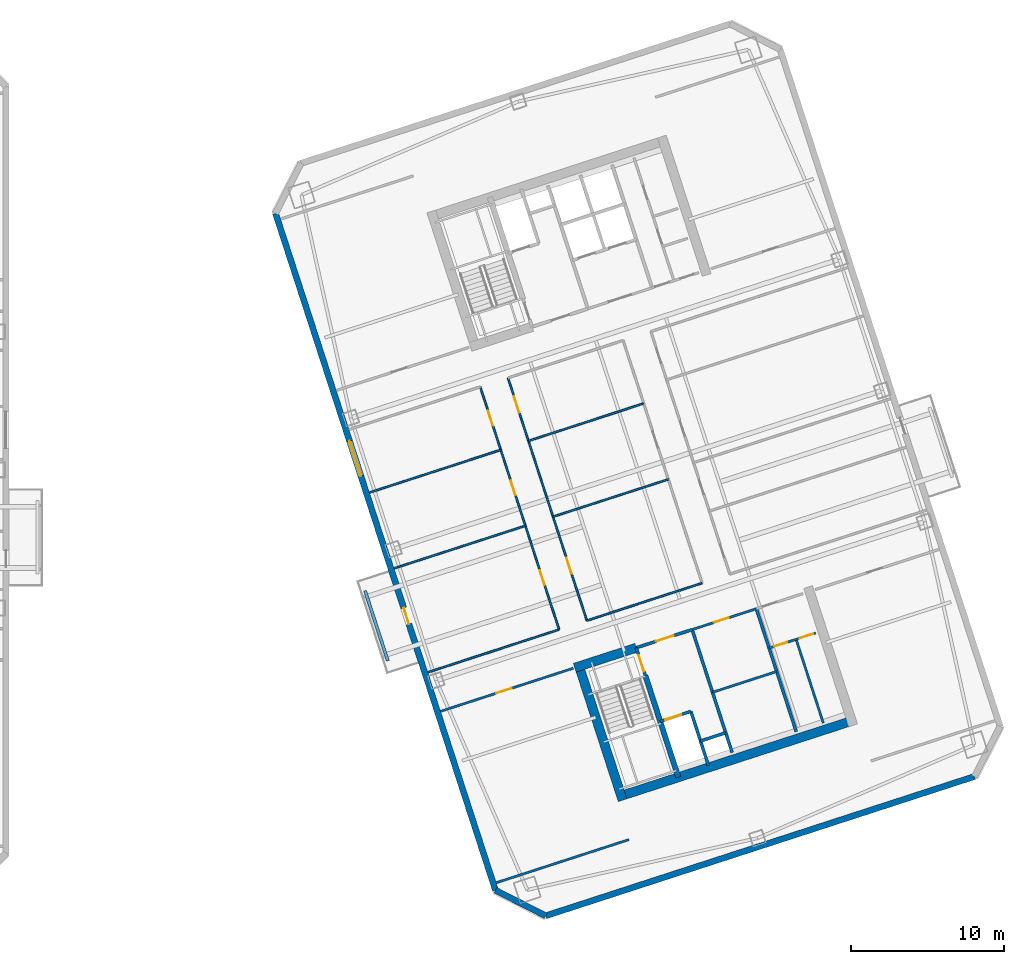
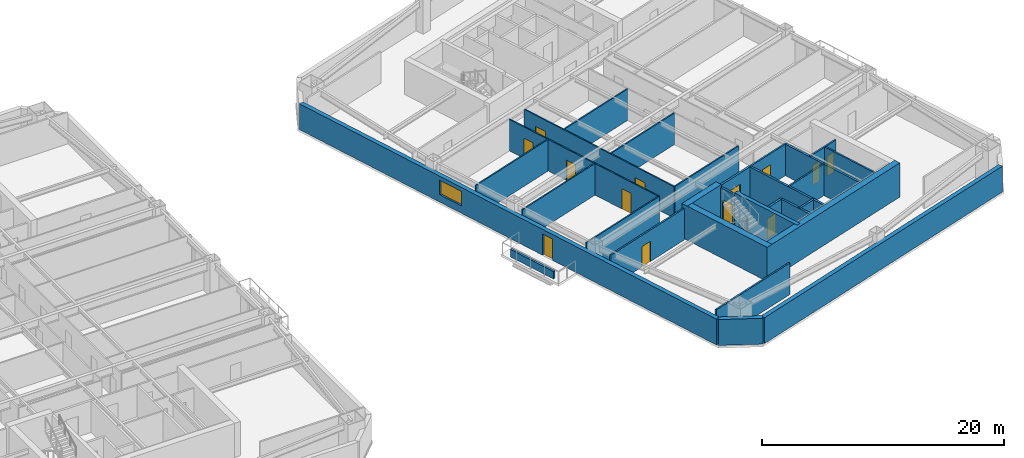
# One storey, part 7 of 14: 29 walls, 13 doors, 1 window, 14 openings.
"""IFC4 building model written with IfcOpenShell, lengths in metres."""

from ifc_helpers import new_model, si_unit, direction, frame, frame_2d, origin, place, context, subcontext, project, spatial, rectangle, extrude, material, layer, layer_set, type_object, element, fill, save


model = new_model("IFC4")

# Units and contexts
model_context = context("Model", 3, precision=1e-05, world=origin(), true_north=direction((0.0, 1.0)))
body_context = subcontext(model_context, "Body", "Model", "MODEL_VIEW")
ifc_project = project(units=[si_unit("LENGTHUNIT", "METRE"), si_unit("AREAUNIT", "SQUARE_METRE"), si_unit("VOLUMEUNIT", "CUBIC_METRE"), si_unit("PLANEANGLEUNIT", "RADIAN"), si_unit("MASSUNIT", "GRAM", prefix="KILO")], contexts=[model_context])

# Site, building, storey
site_placement = place(None, origin())
site = spatial("IfcSite", under=ifc_project, at=site_placement, CompositionType="ELEMENT")
building_placement = place(site_placement, origin())
building = spatial("IfcBuilding", under=site, at=building_placement, Name="Qiaolan Cultural Towers", CompositionType="ELEMENT")
storey_placement = place(building_placement, frame((0.0, 0.0, 124.199951171875)))
storey = spatial("IfcBuildingStorey", under=building, at=storey_placement, Name="L32", CompositionType="ELEMENT", Elevation=124.199951171875)

# Walls
ifc_material_1 = material(Name="Concrete C50", Category="concrete")
ifc_layer_1 = layer(ifc_material_1, 0.35009765625)
ifc_layer_set_1 = layer_set([ifc_layer_1], Name="Concrete C50")
wall_type_1 = type_object("IfcWallType", Name="WL-CORE-350", PredefinedType="SHEAR", material=ifc_layer_set_1)
wall_1_placement = place(storey_placement, frame((90.486328125, 20.59423828125, 0.0), z_axis=(0.0, 0.0, 1.0), x_axis=(0.309020428229, -0.951055400562, 0.0)))
element("IfcWall", 1, at=wall_1_placement, inside=storey, type_object=wall_type_1, Name="L32 T2-CS Stair Core Dividing Web", PredefinedType="SHEAR", context=body_context, shape_type="SweptSolid", body=[
    extrude(rectangle(XDim=6.97998046875, YDim=0.35009765625, at=frame_2d((3.489990234375, 0.0))), origin(), (0.0, 0.0, 1.0), 3.449951171875),
])
ifc_material_2 = material(Name="Concrete C55", Category="concrete")
ifc_layer_2 = layer(ifc_material_2, 0.60009765625)
ifc_layer_set_2 = layer_set([ifc_layer_2], Name="Concrete C55")
wall_type_2 = type_object("IfcWallType", Name="WL-CORE-600", PredefinedType="SHEAR", material=ifc_layer_set_2)
wall_2_placement = place(storey_placement, frame((88.6298828125, 12.65185546875, 0.0), z_axis=(0.0, 0.0, 1.0), x_axis=(0.95105714907, 0.309015046886, 0.0)))
element("IfcWall", 2, at=wall_2_placement, inside=storey, type_object=wall_type_2, Name="L32 T2-CS Outer Core Shear Wall", PredefinedType="SHEAR", context=body_context, shape_type="SweptSolid", body=[
    extrude(rectangle(XDim=16.400146484375, YDim=0.60009765625, at=frame_2d((8.2001953125, 0.0))), origin(), (0.0, 0.0, 1.0), 3.449951171875),
])
wall_3_placement = place(storey_placement, frame((86.078369140625, 21.47509765625, 0.0), z_axis=(0.0, 0.0, 1.0), x_axis=(0.309017938678, -0.951056209472, 0.0)))
element("IfcWall", 3, at=wall_3_placement, inside=storey, type_object=wall_type_2, Name="L32 T2-CS West Core Shear Wall", PredefinedType="SHEAR", context=body_context, shape_type="SweptSolid", body=[
    extrude(rectangle(XDim=9.479736328125, YDim=0.60009765625, at=frame_2d((4.73974609375, 0.0))), origin(), (0.0, 0.0, 1.0), 3.449951171875),
])
wall_4_placement = place(storey_placement, frame((85.8857421875, 21.09716796875, 0.0), z_axis=(0.0, 0.0, 1.0), x_axis=(0.951068073652, 0.308981422225, 0.0)))
element("IfcWall", 4, at=wall_4_placement, inside=storey, type_object=wall_type_2, Name="L32 T2-CS Stair Front Shear Wall", PredefinedType="SHEAR", context=body_context, shape_type="SweptSolid", body=[
    extrude(rectangle(XDim=4.22021484375, YDim=0.60009765625, at=frame_2d((2.110107421875, 0.0))), origin(), (0.0, 0.0, 1.0), 3.449951171875),
])

# Wall, openings, door, window
ifc_material_3 = material(Name="Precast Concrete C50 Honed Stone Pier", Category="masonry")
ifc_layer_3 = layer(ifc_material_3, 0.39990234375)
ifc_layer_set_3 = layer_set([ifc_layer_3], Name="Precast Concrete C50 Honed Stone Pier")
wall_type_3 = type_object("IfcWallType", Name="WL-EXT-PIER-400", PredefinedType="SOLIDWALL", material=ifc_layer_set_3)
wall_5_placement = place(storey_placement, frame((80.7158203125, 6.589599609375, 0.0), z_axis=(0.0, 0.0, 1.0), x_axis=(-0.309017542002, 0.95105633836, 0.0)))
wall_5 = element("IfcWall", 5, at=wall_5_placement, inside=storey, type_object=wall_type_3, Name="L32 East Tower Precast Pier Facade Wall F1", PredefinedType="SOLIDWALL", context=body_context, shape_type="SweptSolid", body=[
    extrude(rectangle(XDim=46.39990234375, YDim=0.39990234375, at=frame_2d((23.199951171875, 0.0))), origin(), (0.0, 0.0, 1.0), 2.610107421875),
])
opening_1_placement = place(wall_5_placement, frame((28.39990234375, 0.0, 0.75)))
opening_1 = element("IfcOpeningElement", 6, at=opening_1_placement, cuts=wall_5, Name="Opening W-02", PredefinedType="OPENING", context=body_context, shape_type="SweptSolid", body=[
    extrude(rectangle(XDim=2.39990234375, YDim=1.4599609375, at=frame_2d((1.199951171875, 0.72998046875))), frame((0.0, 0.2099609375, 0.0), z_axis=(0.0, -1.0, 0.0), x_axis=(1.0, 0.0, 0.0)), (0.0, 0.0, 1.0), 0.419921875),
])
opening_2_placement = place(wall_5_placement, frame((18.25, 0.0, 0.0)))
opening_2 = element("IfcOpeningElement", 7, at=opening_2_placement, cuts=wall_5, Name="Opening BD-01", PredefinedType="OPENING", context=body_context, shape_type="SweptSolid", body=[
    extrude(rectangle(XDim=1.10009765625, YDim=2.14990234375, at=frame_2d((0.550048828125, 1.074951171875))), frame((0.0, 0.2099609375, 0.0), z_axis=(0.0, -1.0, 0.0), x_axis=(1.0, 0.0, 0.0)), (0.0, 0.0, 1.0), 0.419921875),
])
ifc_material_4 = material(Name="Thermally Broken Aluminium Glazed Terrace Door", Category="aluminium")
door_type_1 = type_object("IfcDoorType", Name="DR-BAL-1100", OperationType="NOTDEFINED", PredefinedType="DOOR", material=ifc_material_4)
door_1_placement = place(opening_2_placement, origin())
door_1 = element("IfcDoor", 8, at=door_1_placement, inside=storey, type_object=door_type_1, Name="L32 T2 West Tree Balcony Door", OperationType="SINGLE_SWING_LEFT", OverallHeight=2.14990234375, OverallWidth=1.10009765625, PredefinedType="DOOR", context=body_context, shape_type="SweptSolid", body=[
    extrude(rectangle(XDim=1.10009765625, YDim=2.14990234375, at=frame_2d((0.550048828125, 1.074951171875))), frame((0.0, 0.02490234375, 0.0), z_axis=(0.0, -1.0, 0.0), x_axis=(1.0, 0.0, 0.0)), (0.0, 0.0, 1.0), 0.050048828125),
])
fill(opening_2, door_1)
ifc_material_5 = material(Name="Thermally Broken Aluminium Triple Low-E Glazing", Category="aluminium")
window_type = type_object("IfcWindowType", Name="WN-CHIC-2400", PartitioningType="SINGLE_PANEL", PredefinedType="WINDOW", material=ifc_material_5)
window_placement = place(opening_1_placement, origin())
window = element("IfcWindow", 9, at=window_placement, inside=storey, type_object=window_type, Name="L32 T2 W Chicago Bay Window 1", OverallHeight=1.4599609375, OverallWidth=2.39990234375, PartitioningType="TRIPLE_PANEL_VERTICAL", PredefinedType="WINDOW", context=body_context, shape_type="SweptSolid", body=[
    extrude(rectangle(XDim=2.39990234375, YDim=1.4599609375, at=frame_2d((1.199951171875, 0.72998046875))), frame((0.0, 0.030029296875, 0.0), z_axis=(0.0, -1.0, 0.0), x_axis=(1.0, 0.0, 0.0)), (0.0, 0.0, 1.0), 0.06005859375),
])
fill(opening_1, window)

# Walls
wall_6_placement = place(storey_placement, frame((111.953125, 14.00537109375, 0.0), z_axis=(0.0, 0.0, 1.0), x_axis=(-0.95105505922, -0.309021478754, 0.0)))
element("IfcWall", 10, at=wall_6_placement, inside=storey, type_object=wall_type_3, Name="L32 East Tower Precast Pier Facade Wall F7", PredefinedType="SOLIDWALL", context=body_context, shape_type="SweptSolid", body=[
    extrude(rectangle(XDim=29.39990234375, YDim=0.39990234375, at=frame_2d((14.699951171875, 0.0))), origin(), (0.0, 0.0, 1.0), 2.610107421875),
])
wall_7_placement = place(storey_placement, frame((83.9921875, 4.920166015625, 0.0), z_axis=(0.0, 0.0, 1.0), x_axis=(-0.891001999643, 0.45399937955, 0.0)))
element("IfcWall", 11, at=wall_7_placement, inside=storey, type_object=wall_type_3, Name="L32 East Tower Precast Pier Facade Wall F8", PredefinedType="SOLIDWALL", context=body_context, shape_type="SweptSolid", body=[
    extrude(rectangle(XDim=3.67724609375, YDim=0.39990234375, at=frame_2d((1.838623046875, 0.0))), origin(), (0.0, 0.0, 1.0), 2.610107421875),
])

# Wall, opening, door
ifc_material_6 = material(Name="Concrete C35 Fire Wall", Category="concrete")
ifc_layer_4 = layer(ifc_material_6, 0.199951171875)
ifc_layer_set_4 = layer_set([ifc_layer_4], Name="Concrete C35 Fire Wall")
wall_type_4 = type_object("IfcWallType", Name="WL-FIRE-200", PredefinedType="PARTITIONING", material=ifc_layer_set_4)
wall_8_placement = place(storey_placement, frame((89.8994140625, 22.401123046875, 0.0), z_axis=(0.0, 0.0, 1.0), x_axis=(0.308932062672, -0.951084108086, 0.0)))
wall_8 = element("IfcWall", 12, at=wall_8_placement, inside=storey, type_object=wall_type_4, Name="L32 T2-CS Smokeproof Stair Entry Wall", PredefinedType="PARTITIONING", context=body_context, shape_type="SweptSolid", body=[
    extrude(rectangle(XDim=1.89990234375, YDim=0.199951171875, at=frame_2d((0.949951171875, 0.0))), origin(), (0.0, 0.0, 1.0), 3.175048828125),
])
opening_3_placement = place(wall_8_placement, frame((0.52001953125, 0.0, 0.0)))
opening_3 = element("IfcOpeningElement", 13, at=opening_3_placement, cuts=wall_8, Name="Opening FD-04", PredefinedType="OPENING", context=body_context, shape_type="SweptSolid", body=[
    extrude(rectangle(XDim=1.10009765625, YDim=2.050048828125, at=frame_2d((0.550048828125, 1.02490234375))), frame((0.0, 0.10986328125, 0.0), z_axis=(0.0, -1.0, 0.0), x_axis=(1.0, 0.0, 0.0)), (0.0, 0.0, 1.0), 0.219970703125),
])
ifc_material_7 = material(Name="Galvanized Steel Command Fire Door", Category="steel")
door_type_2 = type_object("IfcDoorType", Name="DR-FD90-1100", OperationType="NOTDEFINED", PredefinedType="DOOR", material=ifc_material_7)
door_2_placement = place(opening_3_placement, origin())
door_2 = element("IfcDoor", 14, at=door_2_placement, inside=storey, type_object=door_type_2, Name="L32 ST-E1 Smokeproof Stair Fire Door", OperationType="SINGLE_SWING_LEFT", OverallHeight=2.050048828125, OverallWidth=1.10009765625, PredefinedType="DOOR", context=body_context, shape_type="SweptSolid", body=[
    extrude(rectangle(XDim=1.10009765625, YDim=2.050048828125, at=frame_2d((0.550048828125, 1.02490234375))), frame((0.0, 0.02490234375, 0.0), z_axis=(0.0, -1.0, 0.0), x_axis=(1.0, 0.0, 0.0)), (0.0, 0.0, 1.0), 0.050048828125),
])
fill(opening_3, door_2)

# Wall
wall_9_placement = place(storey_placement, frame((93.541748046875, 23.584716796875, 0.0), z_axis=(0.0, 0.0, 1.0), x_axis=(0.309042196757, -0.951048327176, 0.0)))
element("IfcWall", 15, at=wall_9_placement, inside=storey, type_object=wall_type_4, Name="L32 T2-CS Firefighting Zone Wall", PredefinedType="PARTITIONING", context=body_context, shape_type="SweptSolid", body=[
    extrude(rectangle(XDim=8.429931640625, YDim=0.199951171875, at=frame_2d((4.21484375, 0.0))), origin(), (0.0, 0.0, 1.0), 3.175048828125),
])

# Wall, opening, door
wall_10_placement = place(storey_placement, frame((89.8994140625, 22.401123046875, 0.0), z_axis=(0.0, 0.0, 1.0), x_axis=(0.951046716504, 0.309047153403, 0.0)))
wall_10 = element("IfcWall", 16, at=wall_10_placement, inside=storey, type_object=wall_type_4, Name="L32 T2-CS Firefighting Lobby Front Wall", PredefinedType="PARTITIONING", context=body_context, shape_type="SweptSolid", body=[
    extrude(rectangle(XDim=3.829833984375, YDim=0.199951171875, at=frame_2d((1.9150390625, 0.0))), origin(), (0.0, 0.0, 1.0), 3.175048828125),
])
opening_4_placement = place(wall_10_placement, frame((1.35009765625, 0.0, 0.0)))
opening_4 = element("IfcOpeningElement", 17, at=opening_4_placement, cuts=wall_10, Name="Opening FD-03", PredefinedType="OPENING", context=body_context, shape_type="SweptSolid", body=[
    extrude(rectangle(XDim=1.199951171875, YDim=2.050048828125, at=frame_2d((0.60009765625, 1.02490234375))), frame((0.0, 0.10986328125, 0.0), z_axis=(0.0, -1.0, 0.0), x_axis=(1.0, 0.0, 0.0)), (0.0, 0.0, 1.0), 0.219970703125),
])
ifc_material_8 = material(Name="Galvanized Steel Smokeproof Lobby Fire Door", Category="steel")
door_type_3 = type_object("IfcDoorType", Name="DR-FD90-1200", OperationType="NOTDEFINED", PredefinedType="DOOR", material=ifc_material_8)
door_3_placement = place(opening_4_placement, origin())
door_3 = element("IfcDoor", 18, at=door_3_placement, inside=storey, type_object=door_type_3, Name="L32 FFL-E1 Firefighting Lobby Fire Door", OperationType="SINGLE_SWING_LEFT", OverallHeight=2.050048828125, OverallWidth=1.199951171875, PredefinedType="DOOR", context=body_context, shape_type="SweptSolid", body=[
    extrude(rectangle(XDim=1.199951171875, YDim=2.050048828125, at=frame_2d((0.60009765625, 1.02490234375))), frame((0.0, 0.02490234375, 0.0), z_axis=(0.0, -1.0, 0.0), x_axis=(1.0, 0.0, 0.0)), (0.0, 0.0, 1.0), 0.050048828125),
])
fill(opening_4, door_3)

wall_11_placement = place(storey_placement, frame((91.459716796875, 17.598388671875, 0.0), z_axis=(0.0, 0.0, 1.0), x_axis=(0.951062257173, 0.308999325213, 0.0)))
wall_11 = element("IfcWall", 19, at=wall_11_placement, inside=storey, type_object=wall_type_4, Name="L32 T2-CS Firefighting Shaft Front Wall", PredefinedType="PARTITIONING", context=body_context, shape_type="SweptSolid", body=[
    extrude(rectangle(XDim=2.10009765625, YDim=0.199951171875, at=frame_2d((1.050048828125, 0.0))), origin(), (0.0, 0.0, 1.0), 3.175048828125),
])
opening_5_placement = place(wall_11_placement, frame((0.35009765625, 0.0, 0.0)))
opening_5 = element("IfcOpeningElement", 20, at=opening_5_placement, cuts=wall_11, Name="Opening LD-01", PredefinedType="OPENING", context=body_context, shape_type="SweptSolid", body=[
    extrude(rectangle(XDim=1.10009765625, YDim=2.050048828125, at=frame_2d((0.550048828125, 1.02490234375))), frame((0.0, 0.10986328125, 0.0), z_axis=(0.0, -1.0, 0.0), x_axis=(1.0, 0.0, 0.0)), (0.0, 0.0, 1.0), 0.219970703125),
])
ifc_material_9 = material(Name="Brushed Stainless Steel S30408 Centre-Parting Lift Landing Door", Category="steel")
door_type_4 = type_object("IfcDoorType", Name="DR-LIFT-1100", OperationType="NOTDEFINED", PredefinedType="DOOR", material=ifc_material_9)
door_4_placement = place(opening_5_placement, origin())
door_4 = element("IfcDoor", 21, at=door_4_placement, inside=storey, type_object=door_type_4, Name="L32 FFL-E1 Firefighting Lift Landing Door", OperationType="DOUBLE_DOOR_SLIDING", OverallHeight=2.050048828125, OverallWidth=1.10009765625, PredefinedType="DOOR", context=body_context, shape_type="SweptSolid", body=[
    extrude(rectangle(XDim=1.10009765625, YDim=2.050048828125, at=frame_2d((0.550048828125, 1.02490234375))), frame((0.0, 0.02490234375, 0.0), z_axis=(0.0, -1.0, 0.0), x_axis=(1.0, 0.0, 0.0)), (0.0, 0.0, 1.0), 0.050048828125),
])
fill(opening_5, door_4)

# Walls
wall_12_placement = place(storey_placement, frame((93.45703125, 18.247314453125, 0.0), z_axis=(0.0, 0.0, 1.0), x_axis=(0.3089935693, -0.951064127245, 0.0)))
element("IfcWall", 22, at=wall_12_placement, inside=storey, type_object=wall_type_4, Name="L32 T2-CS Firefighting Hoistway East Wall", PredefinedType="PARTITIONING", context=body_context, shape_type="SweptSolid", body=[
    extrude(rectangle(XDim=3.7001953125, YDim=0.199951171875, at=frame_2d((1.85009765625, 0.0))), origin(), (0.0, 0.0, 1.0), 3.175048828125),
])
wall_13_placement = place(storey_placement, frame((94.08447265625, 16.316650390625, 0.0), z_axis=(0.0, 0.0, 1.0), x_axis=(0.951041328149, 0.309063734775, 0.0)))
element("IfcWall", 23, at=wall_13_placement, inside=storey, type_object=wall_type_4, Name="L32 T2-CS Pressurization Shaft Front Wall", PredefinedType="PARTITIONING", context=body_context, shape_type="SweptSolid", body=[
    extrude(rectangle(XDim=1.72998046875, YDim=0.199951171875, at=frame_2d((0.864990234375, 0.0))), origin(), (0.0, 0.0, 1.0), 3.175048828125),
])
wall_14_placement = place(storey_placement, frame((97.7265625, 24.9443359375, 0.0), z_axis=(0.0, 0.0, 1.0), x_axis=(0.309016001439, -0.951056838919, 0.0)))
element("IfcWall", 24, at=wall_14_placement, inside=storey, type_object=wall_type_4, Name="L32 T2-CS Lift Core East Wall", PredefinedType="PARTITIONING", context=body_context, shape_type="SweptSolid", body=[
    extrude(rectangle(XDim=8.429931640625, YDim=0.199951171875, at=frame_2d((4.21484375, 0.0))), origin(), (0.0, 0.0, 1.0), 3.175048828125),
])
ifc_material_10 = material(Name="Gypsum Stud Acoustic Partition", Category="gypsum")
ifc_layer_5 = layer(ifc_material_10, 0.1201171875)
ifc_layer_set_5 = layer_set([ifc_layer_5], Name="Gypsum Stud Acoustic Partition")
wall_type_5 = type_object("IfcWallType", Name="WL-PART-120", PredefinedType="PARTITIONING", material=ifc_layer_set_5)
wall_15_placement = place(storey_placement, frame((76.307861328125, 20.802978515625, 0.0), z_axis=(0.0, 0.0, 1.0), x_axis=(0.951054001411, 0.309024734286, 0.0)))
element("IfcWall", 25, at=wall_15_placement, inside=storey, type_object=wall_type_5, Name="L32 T2 Interior Wall", PredefinedType="PARTITIONING", context=body_context, shape_type="SweptSolid", body=[
    extrude(rectangle(XDim=9.0, YDim=0.1201171875, at=frame_2d((4.5, 0.0))), origin(), (0.0, 0.0, 1.0), 3.175048828125),
])
wall_16_placement = place(storey_placement, frame((86.674560546875, 24.17138671875, 0.0), z_axis=(0.0, 0.0, 1.0), x_axis=(0.951057231385, 0.309014793547, 0.0)))
element("IfcWall", 26, at=wall_16_placement, inside=storey, type_object=wall_type_5, Name="L32 T2 Interior Wall", PredefinedType="PARTITIONING", context=body_context, shape_type="SweptSolid", body=[
    extrude(rectangle(XDim=7.89990234375, YDim=0.1201171875, at=frame_2d((3.949951171875, 0.0))), origin(), (0.0, 0.0, 1.0), 3.175048828125),
])

# Wall, openings, doors
wall_17_placement = place(storey_placement, frame((84.867431640625, 23.584228515625, 0.0), z_axis=(0.0, 0.0, 1.0), x_axis=(-0.309022042254, 0.951054876125, 0.0)))
wall_17 = element("IfcWall", 27, at=wall_17_placement, inside=storey, type_object=wall_type_5, Name="L32 T2 Interior Wall", PredefinedType="PARTITIONING", context=body_context, shape_type="SweptSolid", body=[
    extrude(rectangle(XDim=16.639892578125, YDim=0.1201171875, at=frame_2d((8.31982421875, 0.0))), origin(), (0.0, 0.0, 1.0), 3.175048828125),
])
opening_6_placement = place(wall_17_placement, frame((3.06005859375, 0.0, 0.0)))
opening_6 = element("IfcOpeningElement", 28, at=opening_6_placement, cuts=wall_17, Name="Opening ID-04", PredefinedType="OPENING", context=body_context, shape_type="SweptSolid", body=[
    extrude(rectangle(XDim=1.0, YDim=2.050048828125, at=frame_2d((0.5, 1.02490234375))), frame((0.0, 0.070068359375, 0.0), z_axis=(0.0, -1.0, 0.0), x_axis=(1.0, 0.0, 0.0)), (0.0, 0.0, 1.0), 0.14013671875),
])
opening_7_placement = place(wall_17_placement, frame((9.219970703125, 0.0, 0.0)))
opening_7 = element("IfcOpeningElement", 29, at=opening_7_placement, cuts=wall_17, Name="Opening ID-04", PredefinedType="OPENING", context=body_context, shape_type="SweptSolid", body=[
    extrude(rectangle(XDim=1.0, YDim=2.050048828125, at=frame_2d((0.5, 1.02490234375))), frame((0.0, 0.070068359375, 0.0), z_axis=(0.0, -1.0, 0.0), x_axis=(1.0, 0.0, 0.0)), (0.0, 0.0, 1.0), 0.14013671875),
])
opening_8_placement = place(wall_17_placement, frame((13.97998046875, 0.0, 0.0)))
opening_8 = element("IfcOpeningElement", 30, at=opening_8_placement, cuts=wall_17, Name="Opening ID-04", PredefinedType="OPENING", context=body_context, shape_type="SweptSolid", body=[
    extrude(rectangle(XDim=1.0, YDim=2.050048828125, at=frame_2d((0.5, 1.02490234375))), frame((0.0, 0.070068359375, 0.0), z_axis=(0.0, -1.0, 0.0), x_axis=(1.0, 0.0, 0.0)), (0.0, 0.0, 1.0), 0.14013671875),
])
ifc_material_11 = material(Name="Oak Veneer Acoustic Office Door", Category="timber")
door_type_5 = type_object("IfcDoorType", Name="DR-INT-1000", OperationType="NOTDEFINED", PredefinedType="DOOR", material=ifc_material_11)
door_5_placement = place(opening_6_placement, origin())
door_5 = element("IfcDoor", 31, at=door_5_placement, inside=storey, type_object=door_type_5, Name="L32 T2 Publication Showroom Door", OperationType="SINGLE_SWING_LEFT", OverallHeight=2.050048828125, OverallWidth=1.0, PredefinedType="DOOR", context=body_context, shape_type="SweptSolid", body=[
    extrude(rectangle(XDim=1.0, YDim=2.050048828125, at=frame_2d((0.5, 1.02490234375))), frame((0.0, 0.02490234375, 0.0), z_axis=(0.0, -1.0, 0.0), x_axis=(1.0, 0.0, 0.0)), (0.0, 0.0, 1.0), 0.050048828125),
])
fill(opening_6, door_5)
door_6_placement = place(opening_7_placement, origin())
door_6 = element("IfcDoor", 32, at=door_6_placement, inside=storey, type_object=door_type_5, Name="L32 T2 Publication Showroom Door", OperationType="SINGLE_SWING_RIGHT", OverallHeight=2.050048828125, OverallWidth=1.0, PredefinedType="DOOR", context=body_context, shape_type="SweptSolid", body=[
    extrude(rectangle(XDim=1.0, YDim=2.050048828125, at=frame_2d((0.5, 1.02490234375))), frame((0.0, 0.02490234375, 0.0), z_axis=(0.0, -1.0, 0.0), x_axis=(1.0, 0.0, 0.0)), (0.0, 0.0, 1.0), 0.050048828125),
])
fill(opening_7, door_6)
door_7_placement = place(opening_8_placement, origin())
door_7 = element("IfcDoor", 33, at=door_7_placement, inside=storey, type_object=door_type_5, Name="L32 T2 Cataloguing Kitchenette Door", OperationType="SINGLE_SWING_LEFT", OverallHeight=2.050048828125, OverallWidth=1.0, PredefinedType="DOOR", context=body_context, shape_type="SweptSolid", body=[
    extrude(rectangle(XDim=1.0, YDim=2.050048828125, at=frame_2d((0.5, 1.02490234375))), frame((0.0, 0.02490234375, 0.0), z_axis=(0.0, -1.0, 0.0), x_axis=(1.0, 0.0, 0.0)), (0.0, 0.0, 1.0), 0.050048828125),
])
fill(opening_8, door_7)

wall_18_placement = place(storey_placement, frame((86.674560546875, 24.17138671875, 0.0), z_axis=(0.0, 0.0, 1.0), x_axis=(-0.309022042254, 0.951054876125, 0.0)))
wall_18 = element("IfcWall", 34, at=wall_18_placement, inside=storey, type_object=wall_type_5, Name="L32 T2 Interior Wall", PredefinedType="PARTITIONING", context=body_context, shape_type="SweptSolid", body=[
    extrude(rectangle(XDim=16.639892578125, YDim=0.1201171875, at=frame_2d((8.31982421875, 0.0))), origin(), (0.0, 0.0, 1.0), 3.175048828125),
])
opening_9_placement = place(wall_18_placement, frame((3.2041015625, 0.0, 0.0)))
opening_9 = element("IfcOpeningElement", 35, at=opening_9_placement, cuts=wall_18, Name="Opening ID-03", PredefinedType="OPENING", context=body_context, shape_type="SweptSolid", body=[
    extrude(rectangle(XDim=1.10009765625, YDim=2.050048828125, at=frame_2d((0.550048828125, 1.02490234375))), frame((0.0, 0.070068359375, 0.0), z_axis=(0.0, -1.0, 0.0), x_axis=(1.0, 0.0, 0.0)), (0.0, 0.0, 1.0), 0.14013671875),
])
opening_10_placement = place(wall_18_placement, frame((14.263916015625, 0.0, 0.0)))
opening_10 = element("IfcOpeningElement", 36, at=opening_10_placement, cuts=wall_18, Name="Opening ID-03", PredefinedType="OPENING", context=body_context, shape_type="SweptSolid", body=[
    extrude(rectangle(XDim=1.10009765625, YDim=2.050048828125, at=frame_2d((0.550048828125, 1.02490234375))), frame((0.0, 0.070068359375, 0.0), z_axis=(0.0, -1.0, 0.0), x_axis=(1.0, 0.0, 0.0)), (0.0, 0.0, 1.0), 0.14013671875),
])
ifc_material_12 = material(Name="Oak Veneer Solid-Core Boardroom Door", Category="timber")
door_type_6 = type_object("IfcDoorType", Name="DR-INT-1100", OperationType="NOTDEFINED", PredefinedType="DOOR", material=ifc_material_12)
door_8_placement = place(opening_9_placement, origin())
door_8 = element("IfcDoor", 37, at=door_8_placement, inside=storey, type_object=door_type_6, Name="L32 T2 Central Boardroom Door", OperationType="SINGLE_SWING_LEFT", OverallHeight=2.050048828125, OverallWidth=1.10009765625, PredefinedType="DOOR", context=body_context, shape_type="SweptSolid", body=[
    extrude(rectangle(XDim=1.10009765625, YDim=2.050048828125, at=frame_2d((0.550048828125, 1.02490234375))), frame((0.0, 0.02490234375, 0.0), z_axis=(0.0, -1.0, 0.0), x_axis=(1.0, 0.0, 0.0)), (0.0, 0.0, 1.0), 0.050048828125),
])
fill(opening_9, door_8)
door_9_placement = place(opening_10_placement, origin())
door_9 = element("IfcDoor", 38, at=door_9_placement, inside=storey, type_object=door_type_6, Name="L32 T2 Central Archive Room Door", OperationType="SINGLE_SWING_RIGHT", OverallHeight=2.050048828125, OverallWidth=1.10009765625, PredefinedType="DOOR", context=body_context, shape_type="SweptSolid", body=[
    extrude(rectangle(XDim=1.10009765625, YDim=2.050048828125, at=frame_2d((0.550048828125, 1.02490234375))), frame((0.0, 0.02490234375, 0.0), z_axis=(0.0, -1.0, 0.0), x_axis=(1.0, 0.0, 0.0)), (0.0, 0.0, 1.0), 0.050048828125),
])
fill(opening_10, door_9)

# Walls
for number, where, z_axis, x_axis, name in (
    (39, (84.474365234375, 30.94287109375, 0.0), (0.0, 0.0, 1.0), (0.951057231385, 0.309014793547, 0.0), "L32 T2 Interior Wall"),
    (40, (82.867431640625, 35.888427734375, 0.0), (0.0, 0.0, 1.0), (0.951057231385, 0.309014793547, 0.0), "L32 T2 Interior Wall"),
):
    element("IfcWall", number, at=place(storey_placement, frame(where, z_axis=z_axis, x_axis=x_axis)), inside=storey, type_object=wall_type_5, Name=name, PredefinedType="PARTITIONING", context=body_context, shape_type="SweptSolid", body=[
        extrude(rectangle(XDim=7.89990234375, YDim=0.1201171875, at=frame_2d((3.949951171875, 0.0))), origin(), (0.0, 0.0, 1.0), 3.175048828125),
    ])
wall_19_placement = place(storey_placement, frame((74.107666015625, 27.574462890625, 0.0), z_axis=(0.0, 0.0, 1.0), x_axis=(0.951054001411, 0.309024734286, 0.0)))
element("IfcWall", 41, at=wall_19_placement, inside=storey, type_object=wall_type_5, Name="L32 T2 Interior Wall", PredefinedType="PARTITIONING", context=body_context, shape_type="SweptSolid", body=[
    extrude(rectangle(XDim=9.0, YDim=0.1201171875, at=frame_2d((4.5, 0.0))), origin(), (0.0, 0.0, 1.0), 3.175048828125),
])
wall_20_placement = place(storey_placement, frame((72.5009765625, 32.52001953125, 0.0), z_axis=(0.0, 0.0, 1.0), x_axis=(0.951051410833, 0.309032706929, 0.0)))
element("IfcWall", 42, at=wall_20_placement, inside=storey, type_object=wall_type_5, Name="L32 T2 Interior Wall", PredefinedType="PARTITIONING", context=body_context, shape_type="SweptSolid", body=[
    extrude(rectangle(XDim=8.999755859375, YDim=0.1201171875, at=frame_2d((4.5, 0.0))), origin(), (0.0, 0.0, 1.0), 3.175048828125),
])

# Wall, opening, door
ifc_material_13 = material(Name="Autoclaved Aerated Concrete Block B06", Category="concrete")
ifc_layer_6 = layer(ifc_material_13, 0.14990234375)
ifc_layer_set_6 = layer_set([ifc_layer_6], Name="Autoclaved Aerated Concrete Block B06")
wall_type_6 = type_object("IfcWallType", Name="WL-PART-150", PredefinedType="PARTITIONING", material=ifc_layer_set_6)
wall_21_placement = place(storey_placement, frame((93.541748046875, 23.584716796875, 0.0), z_axis=(0.0, 0.0, 1.0), x_axis=(0.951063829732, 0.308994485023, 0.0)))
wall_21 = element("IfcWall", 43, at=wall_21_placement, inside=storey, type_object=wall_type_6, Name="L32 T2-CS Reclaimed Core Room Front Wall", PredefinedType="PARTITIONING", context=body_context, shape_type="SweptSolid", body=[
    extrude(rectangle(XDim=4.400146484375, YDim=0.14990234375, at=frame_2d((2.2001953125, 0.0))), origin(), (0.0, 0.0, 1.0), 3.175048828125),
])
opening_11_placement = place(wall_21_placement, frame((1.5, 0.0, 0.0)))
opening_11 = element("IfcOpeningElement", 44, at=opening_11_placement, cuts=wall_21, Name="Opening ID-04", PredefinedType="OPENING", context=body_context, shape_type="SweptSolid", body=[
    extrude(rectangle(XDim=1.0, YDim=2.050048828125, at=frame_2d((0.5, 1.02490234375))), frame((0.0, 0.0849609375, 0.0), z_axis=(0.0, -1.0, 0.0), x_axis=(1.0, 0.0, 0.0)), (0.0, 0.0, 1.0), 0.169921875),
])
door_10_placement = place(opening_11_placement, origin())
door_10 = element("IfcDoor", 45, at=door_10_placement, inside=storey, type_object=door_type_5, Name="L32 Focus Pod Room Door", OperationType="SINGLE_SWING_LEFT", OverallHeight=2.050048828125, OverallWidth=1.0, PredefinedType="DOOR", context=body_context, shape_type="SweptSolid", body=[
    extrude(rectangle(XDim=1.0, YDim=2.050048828125, at=frame_2d((0.5, 1.02490234375))), frame((0.0, 0.02490234375, 0.0), z_axis=(0.0, -1.0, 0.0), x_axis=(1.0, 0.0, 0.0)), (0.0, 0.0, 1.0), 0.050048828125),
])
fill(opening_11, door_10)

# Wall
wall_22_placement = place(storey_placement, frame((94.87060546875, 19.4951171875, 0.0), z_axis=(0.0, 0.0, 1.0), x_axis=(0.951042223598, 0.309060979314, 0.0)))
element("IfcWall", 46, at=wall_22_placement, inside=storey, type_object=wall_type_6, Name="L32 T2-CS Reclaimed Room Subdivider", PredefinedType="PARTITIONING", context=body_context, shape_type="SweptSolid", body=[
    extrude(rectangle(XDim=4.39990234375, YDim=0.14990234375, at=frame_2d((2.199951171875, 0.0))), origin(), (0.0, 0.0, 1.0), 3.175048828125),
])

# Wall, openings, doors
wall_23_placement = place(storey_placement, frame((98.560791015625, 22.37646484375, 0.0), z_axis=(0.0, 0.0, 1.0), x_axis=(0.95104415986, 0.309055020985, 0.0)))
wall_23 = element("IfcWall", 47, at=wall_23_placement, inside=storey, type_object=wall_type_6, Name="L32 T2-CS Restroom Vestibule Wall", PredefinedType="PARTITIONING", context=body_context, shape_type="SweptSolid", body=[
    extrude(rectangle(XDim=3.2001953125, YDim=0.14990234375, at=frame_2d((1.60009765625, 0.0))), origin(), (0.0, 0.0, 1.0), 3.175048828125),
])
opening_12_placement = place(wall_23_placement, frame((0.35009765625, 0.0, 0.0)))
opening_12 = element("IfcOpeningElement", 48, at=opening_12_placement, cuts=wall_23, Name="Opening ID-06", PredefinedType="OPENING", context=body_context, shape_type="SweptSolid", body=[
    extrude(rectangle(XDim=0.89990234375, YDim=2.050048828125, at=frame_2d((0.449951171875, 1.02490234375))), frame((0.0, 0.0849609375, 0.0), z_axis=(0.0, -1.0, 0.0), x_axis=(1.0, 0.0, 0.0)), (0.0, 0.0, 1.0), 0.169921875),
])
opening_13_placement = place(wall_23_placement, frame((2.10009765625, 0.0, 0.0)))
opening_13 = element("IfcOpeningElement", 49, at=opening_13_placement, cuts=wall_23, Name="Opening ID-06", PredefinedType="OPENING", context=body_context, shape_type="SweptSolid", body=[
    extrude(rectangle(XDim=0.89990234375, YDim=2.050048828125, at=frame_2d((0.449951171875, 1.02490234375))), frame((0.0, 0.0849609375, 0.0), z_axis=(0.0, -1.0, 0.0), x_axis=(1.0, 0.0, 0.0)), (0.0, 0.0, 1.0), 0.169921875),
])
ifc_material_14 = material(Name="Fire-Rated Laminate Core Service Door", Category="timber")
door_type_7 = type_object("IfcDoorType", Name="DR-INT-900", OperationType="NOTDEFINED", PredefinedType="DOOR", material=ifc_material_14)
door_11_placement = place(opening_12_placement, origin())
door_11 = element("IfcDoor", 50, at=door_11_placement, inside=storey, type_object=door_type_7, Name="L32 Men Restroom Door", OperationType="SINGLE_SWING_LEFT", OverallHeight=2.050048828125, OverallWidth=0.89990234375, PredefinedType="DOOR", context=body_context, shape_type="SweptSolid", body=[
    extrude(rectangle(XDim=0.89990234375, YDim=2.050048828125, at=frame_2d((0.449951171875, 1.02490234375))), frame((0.0, 0.02490234375, 0.0), z_axis=(0.0, -1.0, 0.0), x_axis=(1.0, 0.0, 0.0)), (0.0, 0.0, 1.0), 0.050048828125),
])
fill(opening_12, door_11)
door_12_placement = place(opening_13_placement, origin())
door_12 = element("IfcDoor", 51, at=door_12_placement, inside=storey, type_object=door_type_7, Name="L32 Accessible & Women Restroom Door", OperationType="SINGLE_SWING_RIGHT", OverallHeight=2.050048828125, OverallWidth=0.89990234375, PredefinedType="DOOR", context=body_context, shape_type="SweptSolid", body=[
    extrude(rectangle(XDim=0.89990234375, YDim=2.050048828125, at=frame_2d((0.449951171875, 1.02490234375))), frame((0.0, 0.02490234375, 0.0), z_axis=(0.0, -1.0, 0.0), x_axis=(1.0, 0.0, 0.0)), (0.0, 0.0, 1.0), 0.050048828125),
])
fill(opening_13, door_12)

# Walls
wall_24_placement = place(storey_placement, frame((100.3203125, 22.9482421875, 0.0), z_axis=(0.0, 0.0, 1.0), x_axis=(0.309035009867, -0.951050662518, 0.0)))
element("IfcWall", 52, at=wall_24_placement, inside=storey, type_object=wall_type_6, Name="L32 T2-CS Restroom Divider Wall", PredefinedType="PARTITIONING", context=body_context, shape_type="SweptSolid", body=[
    extrude(rectangle(XDim=5.72998046875, YDim=0.14990234375, at=frame_2d((2.864990234375, 0.0))), origin(), (0.0, 0.0, 1.0), 3.175048828125),
])
wall_25_placement = place(storey_placement, frame((80.76708984375, 7.079345703125, 0.0), z_axis=(0.0, 0.0, 1.0), x_axis=(0.951057133767, 0.309015093986, 0.0)))
element("IfcWall", 53, at=wall_25_placement, inside=storey, type_object=wall_type_6, Name="L32 T2 Flank Wall FLK-SW", PredefinedType="PARTITIONING", context=body_context, shape_type="SweptSolid", body=[
    extrude(rectangle(XDim=9.099853515625, YDim=0.14990234375, at=frame_2d((4.5498046875, 0.0))), origin(), (0.0, 0.0, 1.0), 3.175048828125),
])

# Wall, opening, door
wall_26_placement = place(storey_placement, frame((77.13623046875, 18.254150390625, 0.0), z_axis=(0.0, 0.0, 1.0), x_axis=(0.951057133767, 0.309015093986, 0.0)))
wall_26 = element("IfcWall", 54, at=wall_26_placement, inside=storey, type_object=wall_type_6, Name="L32 T2 Flank Front FLK-SW", PredefinedType="PARTITIONING", context=body_context, shape_type="SweptSolid", body=[
    extrude(rectangle(XDim=9.099853515625, YDim=0.14990234375, at=frame_2d((4.5498046875, 0.0))), origin(), (0.0, 0.0, 1.0), 3.175048828125),
])
opening_14_placement = place(wall_26_placement, frame((3.822021484375, 0.0, 0.0)))
opening_14 = element("IfcOpeningElement", 55, at=opening_14_placement, cuts=wall_26, Name="Opening ID-07", PredefinedType="OPENING", context=body_context, shape_type="SweptSolid", body=[
    extrude(rectangle(XDim=1.050048828125, YDim=2.050048828125, at=frame_2d((0.52490234375, 1.02490234375))), frame((0.0, 0.0849609375, 0.0), z_axis=(0.0, -1.0, 0.0), x_axis=(1.0, 0.0, 0.0)), (0.0, 0.0, 1.0), 0.169921875),
])
ifc_material_15 = material(Name="Oak Veneer Consultation Door", Category="timber")
door_type_8 = type_object("IfcDoorType", Name="DR-INT-1050", OperationType="NOTDEFINED", PredefinedType="DOOR", material=ifc_material_15)
door_13_placement = place(opening_14_placement, origin())
door_13 = element("IfcDoor", 56, at=door_13_placement, inside=storey, type_object=door_type_8, Name="L32 T2 Corner Studio Door", OperationType="SINGLE_SWING_LEFT", OverallHeight=2.050048828125, OverallWidth=1.050048828125, PredefinedType="DOOR", context=body_context, shape_type="SweptSolid", body=[
    extrude(rectangle(XDim=1.050048828125, YDim=2.050048828125, at=frame_2d((0.52490234375, 1.02490234375))), frame((0.0, 0.02490234375, 0.0), z_axis=(0.0, -1.0, 0.0), x_axis=(1.0, 0.0, 0.0)), (0.0, 0.0, 1.0), 0.050048828125),
])
fill(opening_14, door_13)

# Wall
ifc_material_16 = material(Name="Precast Concrete C45 Tree Planter Upstand", Category="concrete")
ifc_layer_7 = layer(ifc_material_16, 0.199951171875)
ifc_layer_set_7 = layer_set([ifc_layer_7], Name="Precast Concrete C45 Tree Planter Upstand")
wall_type_7 = type_object("IfcWallType", Name="WL-PLANTER-200", PredefinedType="PARAPET", material=ifc_layer_set_7)
wall_27_placement = place(storey_placement, frame((73.698486328125, 21.55322265625, 0.0), z_axis=(0.0, 0.0, 1.0), x_axis=(-0.309032019345, 0.951051634255, 0.0)))
element("IfcWall", 57, at=wall_27_placement, inside=storey, type_object=wall_type_7, Name="L32 T2 Tree Balcony Soil Planter Box W", PredefinedType="PARAPET", context=body_context, shape_type="SweptSolid", body=[
    extrude(rectangle(XDim=4.800048828125, YDim=0.199951171875, at=frame_2d((2.39990234375, 0.0))), origin(), (0.0, 0.0, 1.0), 0.75),
])

save(model, "model.ifc")
